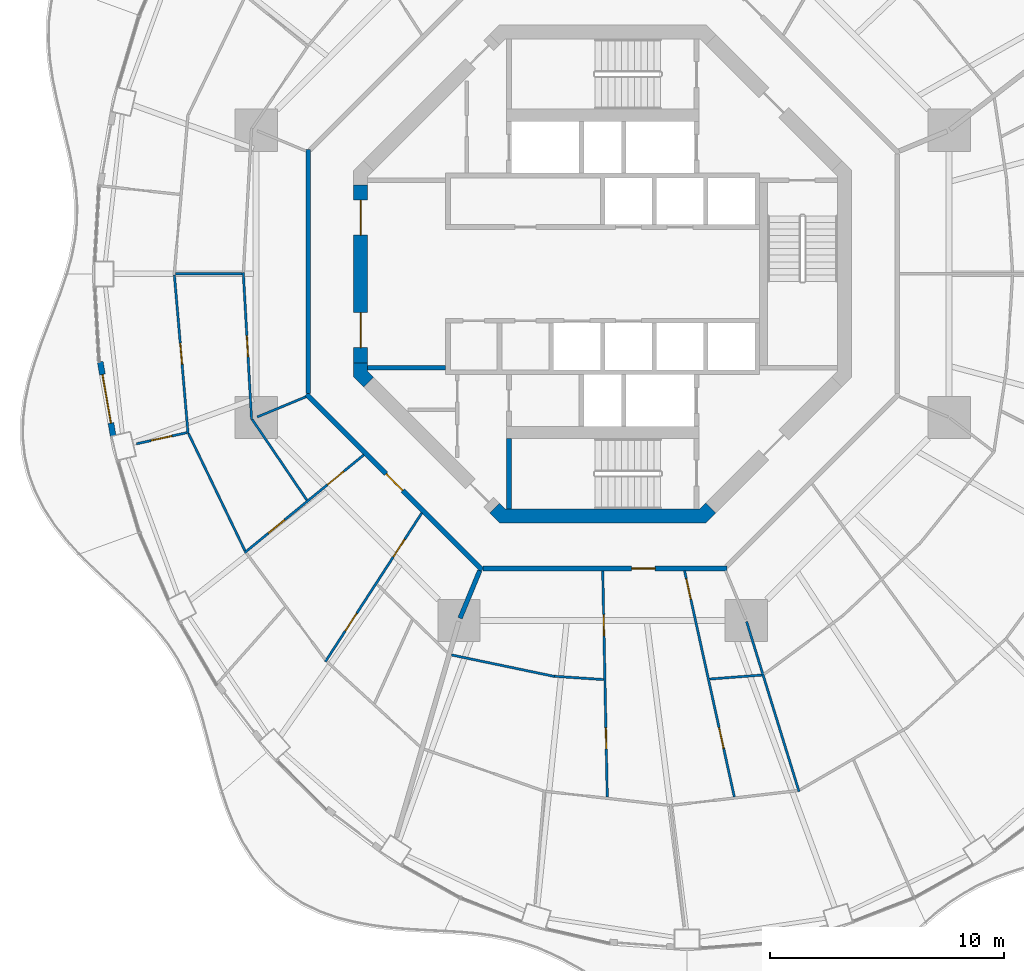
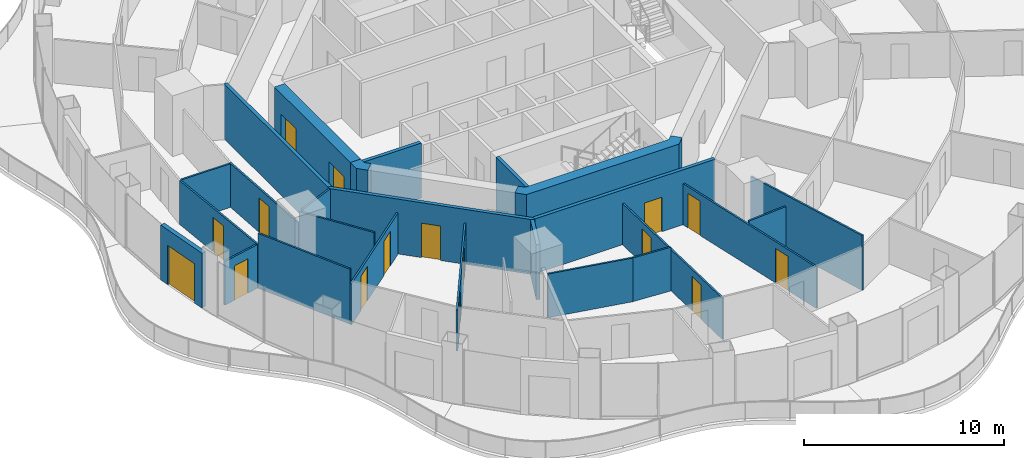
# One storey, part 11 of 19: 25 walls, 16 doors, 16 openings.
"""IFC4 building model written with IfcOpenShell, lengths in metres."""

from ifc_helpers import new_model, si_unit, direction, frame, frame_2d, origin, place, context, subcontext, project, spatial, polyline, rectangle, outline, extrude, material, layer, layer_set, type_object, element, fill, save


model = new_model("IFC4")

# Units and contexts
model_context = context("Model", 3, precision=1e-05, world=origin(), true_north=direction((0.0, 1.0)))
body_context = subcontext(model_context, "Body", "Model", "MODEL_VIEW")
ifc_project = project(units=[si_unit("LENGTHUNIT", "METRE"), si_unit("AREAUNIT", "SQUARE_METRE"), si_unit("VOLUMEUNIT", "CUBIC_METRE"), si_unit("PLANEANGLEUNIT", "RADIAN"), si_unit("MASSUNIT", "GRAM", prefix="KILO")], contexts=[model_context])

# Site, building, storey
site_placement = place(None, origin())
site = spatial("IfcSite", under=ifc_project, at=site_placement, CompositionType="ELEMENT")
building_placement = place(site_placement, origin())
building = spatial("IfcBuilding", under=site, at=building_placement, Name="Nagisa Residences", CompositionType="ELEMENT")
storey_placement = place(building_placement, frame((0.0, 0.0, 202.89990234375)))
storey = spatial("IfcBuildingStorey", under=building, at=storey_placement, Name="L51", CompositionType="ELEMENT", Elevation=202.89990234375)

# Walls
ifc_material_1 = material(Name="Gypsum board on steel studs", Category="steel")
ifc_layer_1 = layer(ifc_material_1, 0.199951171875)
ifc_layer_set_1 = layer_set([ifc_layer_1], Name="Apartment compartment wall EI60 200")
wall_type_1 = type_object("IfcWallType", Name="Apartment compartment wall EI60 200", PredefinedType="PARTITIONING", material=ifc_layer_set_1)
wall_1_placement = place(storey_placement, frame((-5.24267578125, -12.6572265625, 0.0), z_axis=(0.0, 0.0, 1.0), x_axis=(-0.382707856524, -0.923869415315, 0.0)))
element("IfcWall", 1, at=wall_1_placement, inside=storey, type_object=wall_type_1, Name="wall:L51:u04", PredefinedType="PARTITIONING", context=body_context, shape_type="SweptSolid", body=[
    extrude(rectangle(XDim=2.2001953125, YDim=0.199951171875, at=frame_2d((1.10009765625, 0.0))), origin(), (0.0, 0.0, 1.0), 3.35009765625),
])
ifc_material_2 = material(Name="Gypsum board on steel studs", Category="steel")
ifc_layer_2 = layer(ifc_material_2, 0.199951171875)
ifc_layer_set_2 = layer_set([ifc_layer_2], Name="Apartment entry wall EI60 200")
wall_type_2 = type_object("IfcWallType", Name="Apartment entry wall EI60 200", PredefinedType="PARTITIONING", material=ifc_layer_set_2)
wall_2_placement = place(storey_placement, frame((-12.564697265625, 5.304443359375, 0.0), z_axis=(0.0, 0.0, 1.0), x_axis=(0.0, -1.0, 0.0)))
element("IfcWall", 2, at=wall_2_placement, inside=storey, type_object=wall_type_2, Name="wall:L51:u10", PredefinedType="PARTITIONING", context=body_context, shape_type="SweptSolid", body=[
    extrude(rectangle(XDim=10.408935546875, YDim=0.199951171875, at=frame_2d((5.20458984375, 0.0))), origin(), (0.0, 0.0, 1.0), 3.35009765625),
])

# Wall, opening, door
wall_3_placement = place(storey_placement, frame((-12.635498046875, -5.1337890625, 0.0), z_axis=(0.0, 0.0, 1.0), x_axis=(0.707106781187, -0.707106781187, 0.0)))
wall_3 = element("IfcWall", 3, at=wall_3_placement, inside=storey, type_object=wall_type_2, Name="wall:L51:u11", PredefinedType="PARTITIONING", context=body_context, shape_type="SweptSolid", body=[
    extrude(rectangle(XDim=10.609130859375, YDim=0.199951171875, at=frame_2d((5.3046875, 0.0))), origin(), (0.0, 0.0, 1.0), 3.35009765625),
])
opening_1_placement = place(wall_3_placement, frame((4.804443359375, 0.0, 0.0)))
opening_1 = element("IfcOpeningElement", 4, at=opening_1_placement, cuts=wall_3, Name="Opening L51-U34", PredefinedType="OPENING", context=body_context, shape_type="SweptSolid", body=[
    extrude(rectangle(XDim=1.0, YDim=2.10009765625, at=frame_2d((0.5, 1.050048828125))), frame((0.0, 0.10986328125, 0.0), z_axis=(0.0, -1.0, 0.0), x_axis=(1.0, 0.0, 0.0)), (0.0, 0.0, 1.0), 0.219970703125),
])
ifc_material_3 = material(Name="Timber fire door set", Category="wood")
door_type_1 = type_object("IfcDoorType", Name="Apartment entry door FD30S 1000x2100", OperationType="NOTDEFINED", PredefinedType="DOOR", material=ifc_material_3)
door_1_placement = place(opening_1_placement, frame((1.0, 0.0, 0.0), x_axis=(-1.0, 0.0, 0.0)))
door_1 = element("IfcDoor", 5, at=door_1_placement, inside=storey, type_object=door_type_1, Name="Entry door, Apartment 51C", OperationType="SINGLE_SWING_LEFT", OverallHeight=2.10009765625, OverallWidth=1.0, PredefinedType="DOOR", context=body_context, shape_type="SweptSolid", body=[
    extrude(rectangle(XDim=1.0, YDim=2.10009765625, at=frame_2d((0.5, 1.050048828125))), frame((0.0, 0.02490234375, 0.0), z_axis=(0.0, -1.0, 0.0), x_axis=(1.0, 0.0, 0.0)), (0.0, 0.0, 1.0), 0.050048828125),
])
fill(opening_1, door_1)

wall_4_placement = place(storey_placement, frame((-5.1044921875, -12.564697265625, 0.0), z_axis=(0.0, 0.0, 1.0), x_axis=(1.0, 0.0, 0.0)))
wall_4 = element("IfcWall", 6, at=wall_4_placement, inside=storey, type_object=wall_type_2, Name="wall:L51:u12", PredefinedType="PARTITIONING", context=body_context, shape_type="SweptSolid", body=[
    extrude(rectangle(XDim=10.408935546875, YDim=0.199951171875, at=frame_2d((5.20458984375, 0.0))), origin(), (0.0, 0.0, 1.0), 3.35009765625),
])
opening_2_placement = place(wall_4_placement, frame((6.33935546875, 0.0, 0.0)))
opening_2 = element("IfcOpeningElement", 7, at=opening_2_placement, cuts=wall_4, Name="Opening L51-U01", PredefinedType="OPENING", context=body_context, shape_type="SweptSolid", body=[
    extrude(rectangle(XDim=1.0, YDim=2.10009765625, at=frame_2d((0.5, 1.050048828125))), frame((0.0, 0.10986328125, 0.0), z_axis=(0.0, -1.0, 0.0), x_axis=(1.0, 0.0, 0.0)), (0.0, 0.0, 1.0), 0.219970703125),
])
door_2_placement = place(opening_2_placement, frame((1.0, 0.0, 0.0), x_axis=(-1.0, 0.0, 0.0)))
door_2 = element("IfcDoor", 8, at=door_2_placement, inside=storey, type_object=door_type_1, Name="Entry door, Apartment 51A", OperationType="SINGLE_SWING_RIGHT", OverallHeight=2.10009765625, OverallWidth=1.0, PredefinedType="DOOR", context=body_context, shape_type="SweptSolid", body=[
    extrude(rectangle(XDim=1.0, YDim=2.10009765625, at=frame_2d((0.5, 1.050048828125))), frame((0.0, 0.02490234375, 0.0), z_axis=(0.0, -1.0, 0.0), x_axis=(1.0, 0.0, 0.0)), (0.0, 0.0, 1.0), 0.050048828125),
])
fill(opening_2, door_2)

# Wall
ifc_material_4 = material(Name="Gypsum board on steel studs", Category="steel")
ifc_layer_3 = layer(ifc_material_4, 0.10009765625)
ifc_layer_set_3 = layer_set([ifc_layer_3], Name="Apartment partition 100")
wall_type_3 = type_object("IfcWallType", Name="Apartment partition 100", PredefinedType="PARTITIONING", material=ifc_layer_set_3)
wall_5_placement = place(storey_placement, frame((-15.3779296875, 0.0, 0.0), z_axis=(0.0, 0.0, 1.0), x_axis=(-1.0, 0.0, 0.0)))
element("IfcWall", 9, at=wall_5_placement, inside=storey, type_object=wall_type_3, Name="wall:L51:u52", PredefinedType="PARTITIONING", context=body_context, shape_type="SweptSolid", body=[
    extrude(rectangle(XDim=2.84716796875, YDim=0.10009765625, at=frame_2d((1.423583984375, 0.0))), origin(), (0.0, 0.0, 1.0), 2.666015625),
])

# Wall, opening, door
wall_6_placement = place(storey_placement, frame((-15.33056640625, 0.0498046875, 0.0), z_axis=(0.0, 0.0, 1.0), x_axis=(0.056325291522, -0.998412470643, 0.0)))
wall_6 = element("IfcWall", 10, at=wall_6_placement, inside=storey, type_object=wall_type_3, Name="wall:L51:u53", PredefinedType="PARTITIONING", context=body_context, shape_type="SweptSolid", body=[
    extrude(rectangle(XDim=6.2763671875, YDim=0.10009765625, at=frame_2d((3.13818359375, 0.0))), origin(), (0.0, 0.0, 1.0), 2.666015625),
])
opening_3_placement = place(wall_6_placement, frame((2.688232421875, 0.0, 0.0)))
opening_3 = element("IfcOpeningElement", 11, at=opening_3_placement, cuts=wall_6, Name="Opening L51-U42", PredefinedType="OPENING", context=body_context, shape_type="SweptSolid", body=[
    extrude(rectangle(XDim=0.89990234375, YDim=2.10009765625, at=frame_2d((0.449951171875, 1.050048828125))), frame((0.0, 0.06005859375, 0.0), z_axis=(0.0, -1.0, 0.0), x_axis=(1.0, 0.0, 0.0)), (0.0, 0.0, 1.0), 0.1201171875),
])
ifc_material_5 = material(Name="Timber door set", Category="wood")
door_type_2 = type_object("IfcDoorType", Name="Apartment door 900x2100", OperationType="NOTDEFINED", PredefinedType="DOOR", material=ifc_material_5)
door_3_placement = place(opening_3_placement, origin())
door_3 = element("IfcDoor", 12, at=door_3_placement, inside=storey, type_object=door_type_2, Name="Door to laundry, Apartment 51C", OperationType="SINGLE_SWING_RIGHT", OverallHeight=2.10009765625, OverallWidth=0.89990234375, PredefinedType="DOOR", context=body_context, shape_type="SweptSolid", body=[
    extrude(rectangle(XDim=0.89990234375, YDim=2.10009765625, at=frame_2d((0.449951171875, 1.050048828125))), frame((0.0, 0.02490234375, 0.0), z_axis=(0.0, -1.0, 0.0), x_axis=(1.0, 0.0, 0.0)), (0.0, 0.0, 1.0), 0.050048828125),
])
fill(opening_3, door_3)

wall_7_placement = place(storey_placement, frame((-18.270751953125, -0.0498046875, 0.0), z_axis=(0.0, 0.0, 1.0), x_axis=(0.086018199227, -0.996293565874, 0.0)))
wall_7 = element("IfcWall", 13, at=wall_7_placement, inside=storey, type_object=wall_type_3, Name="wall:L51:u54", PredefinedType="PARTITIONING", context=body_context, shape_type="SweptSolid", body=[
    extrude(rectangle(XDim=6.7890625, YDim=0.10009765625, at=frame_2d((3.39453125, 0.0))), origin(), (0.0, 0.0, 1.0), 2.666015625),
])
opening_4_placement = place(wall_7_placement, frame((2.919677734375, 0.0, 0.0)))
opening_4 = element("IfcOpeningElement", 14, at=opening_4_placement, cuts=wall_7, Name="Opening L51-U39", PredefinedType="OPENING", context=body_context, shape_type="SweptSolid", body=[
    extrude(rectangle(XDim=0.89990234375, YDim=2.10009765625, at=frame_2d((0.449951171875, 1.050048828125))), frame((0.0, 0.06005859375, 0.0), z_axis=(0.0, -1.0, 0.0), x_axis=(1.0, 0.0, 0.0)), (0.0, 0.0, 1.0), 0.1201171875),
])
door_4_placement = place(opening_4_placement, frame((0.89990234375, 0.0, 0.0), x_axis=(-1.0, 0.0, 0.0)))
door_4 = element("IfcDoor", 15, at=door_4_placement, inside=storey, type_object=door_type_2, Name="Door to family room, Apartment 51C", OperationType="SINGLE_SWING_RIGHT", OverallHeight=2.10009765625, OverallWidth=0.89990234375, PredefinedType="DOOR", context=body_context, shape_type="SweptSolid", body=[
    extrude(rectangle(XDim=0.89990234375, YDim=2.10009765625, at=frame_2d((0.449951171875, 1.050048828125))), frame((0.0, 0.02490234375, 0.0), z_axis=(0.0, -1.0, 0.0), x_axis=(1.0, 0.0, 0.0)), (0.0, 0.0, 1.0), 0.050048828125),
])
fill(opening_4, door_4)

# Walls
wall_8_placement = place(storey_placement, frame((-12.6572265625, -5.24267578125, 0.0), z_axis=(0.0, 0.0, 1.0), x_axis=(-0.923864733477, -0.382719158442, 0.0)))
element("IfcWall", 16, at=wall_8_placement, inside=storey, type_object=wall_type_3, Name="wall:L51:u55", PredefinedType="PARTITIONING", context=body_context, shape_type="SweptSolid", body=[
    extrude(rectangle(XDim=2.25, YDim=0.10009765625, at=frame_2d((1.125, 0.0))), origin(), (0.0, 0.0, 1.0), 3.35009765625),
])
wall_9_placement = place(storey_placement, frame((-14.951904296875, -6.2080078125, 0.0), z_axis=(0.0, 0.0, 1.0), x_axis=(0.561064907171, -0.827771810308, 0.0)))
element("IfcWall", 17, at=wall_9_placement, inside=storey, type_object=wall_type_3, Name="wall:L51:u56", PredefinedType="PARTITIONING", context=body_context, shape_type="SweptSolid", body=[
    extrude(rectangle(XDim=4.15869140625, YDim=0.10009765625, at=frame_2d((2.079345703125, 0.0))), origin(), (0.0, 0.0, 1.0), 3.35009765625),
])

# Wall, opening, door
wall_10_placement = place(storey_placement, frame((-17.73974609375, -6.774658203125, 0.0), z_axis=(0.0, 0.0, 1.0), x_axis=(-0.976574948551, -0.215177531037, 0.0)))
wall_10 = element("IfcWall", 18, at=wall_10_placement, inside=storey, type_object=wall_type_3, Name="wall:L51:u57", PredefinedType="PARTITIONING", context=body_context, shape_type="SweptSolid", body=[
    extrude(rectangle(XDim=2.19775390625, YDim=0.10009765625, at=frame_2d((1.098876953125, 0.0))), origin(), (0.0, 0.0, 1.0), 2.666015625),
])
opening_5_placement = place(wall_10_placement, frame((0.648681640625, 0.0, 0.0)))
opening_5 = element("IfcOpeningElement", 19, at=opening_5_placement, cuts=wall_10, Name="Opening L51-U40", PredefinedType="OPENING", context=body_context, shape_type="SweptSolid", body=[
    extrude(rectangle(XDim=0.89990234375, YDim=2.10009765625, at=frame_2d((0.449951171875, 1.050048828125))), frame((0.0, 0.06005859375, 0.0), z_axis=(0.0, -1.0, 0.0), x_axis=(1.0, 0.0, 0.0)), (0.0, 0.0, 1.0), 0.1201171875),
])
door_5_placement = place(opening_5_placement, origin())
door_5 = element("IfcDoor", 20, at=door_5_placement, inside=storey, type_object=door_type_2, Name="Door to bedroom, Apartment 51C", OperationType="SINGLE_SWING_RIGHT", OverallHeight=2.10009765625, OverallWidth=0.89990234375, PredefinedType="DOOR", context=body_context, shape_type="SweptSolid", body=[
    extrude(rectangle(XDim=0.89990234375, YDim=2.10009765625, at=frame_2d((0.449951171875, 1.050048828125))), frame((0.0, 0.02490234375, 0.0), z_axis=(0.0, -1.0, 0.0), x_axis=(1.0, 0.0, 0.0)), (0.0, 0.0, 1.0), 0.050048828125),
])
fill(opening_5, door_5)

# Wall
wall_11_placement = place(storey_placement, frame((-17.669189453125, -6.80908203125, 0.0), z_axis=(0.0, 0.0, 1.0), x_axis=(0.434040130629, -0.900893536997, 0.0)))
element("IfcWall", 21, at=wall_11_placement, inside=storey, type_object=wall_type_3, Name="wall:L51:u58", PredefinedType="PARTITIONING", context=body_context, shape_type="SweptSolid", body=[
    extrude(rectangle(XDim=5.557861328125, YDim=0.10009765625, at=frame_2d((2.77880859375, 0.0))), origin(), (0.0, 0.0, 1.0), 3.35009765625),
])

# Wall, openings, doors
wall_12_placement = place(storey_placement, frame((-10.188720703125, -7.721435546875, 0.0), z_axis=(0.0, 0.0, 1.0), x_axis=(-0.773121441079, -0.634258021112, 0.0)))
wall_12 = element("IfcWall", 22, at=wall_12_placement, inside=storey, type_object=wall_type_3, Name="wall:L51:u59", PredefinedType="PARTITIONING", context=body_context, shape_type="SweptSolid", body=[
    extrude(rectangle(XDim=6.5771484375, YDim=0.10009765625, at=frame_2d((3.28857421875, 0.0))), origin(), (0.0, 0.0, 1.0), 2.51513671875),
])
opening_6_placement = place(wall_12_placement, frame((1.103515625, 0.0, 0.0)))
opening_6 = element("IfcOpeningElement", 23, at=opening_6_placement, cuts=wall_12, Name="Opening L51-U35", PredefinedType="OPENING", context=body_context, shape_type="SweptSolid", body=[
    extrude(rectangle(XDim=0.89990234375, YDim=2.10009765625, at=frame_2d((0.449951171875, 1.050048828125))), frame((0.0, 0.06005859375, 0.0), z_axis=(0.0, -1.0, 0.0), x_axis=(1.0, 0.0, 0.0)), (0.0, 0.0, 1.0), 0.1201171875),
])
opening_7_placement = place(wall_12_placement, frame((4.366943359375, 0.0, 0.0)))
opening_7 = element("IfcOpeningElement", 24, at=opening_7_placement, cuts=wall_12, Name="Opening L51-U37", PredefinedType="OPENING", context=body_context, shape_type="SweptSolid", body=[
    extrude(rectangle(XDim=0.89990234375, YDim=2.10009765625, at=frame_2d((0.449951171875, 1.050048828125))), frame((0.0, 0.06005859375, 0.0), z_axis=(0.0, -1.0, 0.0), x_axis=(1.0, 0.0, 0.0)), (0.0, 0.0, 1.0), 0.1201171875),
])
door_6_placement = place(opening_6_placement, frame((0.89990234375, 0.0, 0.0), x_axis=(-1.0, 0.0, 0.0)))
door_6 = element("IfcDoor", 25, at=door_6_placement, inside=storey, type_object=door_type_2, Name="Door to store, Apartment 51C", OperationType="SINGLE_SWING_RIGHT", OverallHeight=2.10009765625, OverallWidth=0.89990234375, PredefinedType="DOOR", context=body_context, shape_type="SweptSolid", body=[
    extrude(rectangle(XDim=0.89990234375, YDim=2.10009765625, at=frame_2d((0.449951171875, 1.050048828125))), frame((0.0, 0.02490234375, 0.0), z_axis=(0.0, -1.0, 0.0), x_axis=(1.0, 0.0, 0.0)), (0.0, 0.0, 1.0), 0.050048828125),
])
fill(opening_6, door_6)
door_7_placement = place(opening_7_placement, frame((0.89990234375, 0.0, 0.0), x_axis=(-1.0, 0.0, 0.0)))
door_7 = element("IfcDoor", 26, at=door_7_placement, inside=storey, type_object=door_type_2, Name="Door to study, Apartment 51C", OperationType="SINGLE_SWING_RIGHT", OverallHeight=2.10009765625, OverallWidth=0.89990234375, PredefinedType="DOOR", context=body_context, shape_type="SweptSolid", body=[
    extrude(rectangle(XDim=0.89990234375, YDim=2.10009765625, at=frame_2d((0.449951171875, 1.050048828125))), frame((0.0, 0.02490234375, 0.0), z_axis=(0.0, -1.0, 0.0), x_axis=(1.0, 0.0, 0.0)), (0.0, 0.0, 1.0), 0.050048828125),
])
fill(opening_7, door_7)

wall_13_placement = place(storey_placement, frame((-7.71240234375, -10.1953125, 0.0), z_axis=(0.0, 0.0, 1.0), x_axis=(-0.544179442551, -0.838968851809, 0.0)))
wall_13 = element("IfcWall", 27, at=wall_13_placement, inside=storey, type_object=wall_type_3, Name="wall:L51:u62", PredefinedType="PARTITIONING", context=body_context, shape_type="SweptSolid", body=[
    extrude(rectangle(XDim=7.56640625, YDim=0.10009765625, at=frame_2d((3.783203125, 0.0))), origin(), (0.0, 0.0, 1.0), 2.51513671875),
])
opening_8_placement = place(wall_13_placement, frame((1.3427734375, 0.0, 0.0)))
opening_8 = element("IfcOpeningElement", 28, at=opening_8_placement, cuts=wall_13, Name="Opening L51-U36", PredefinedType="OPENING", context=body_context, shape_type="SweptSolid", body=[
    extrude(rectangle(XDim=0.89990234375, YDim=2.10009765625, at=frame_2d((0.449951171875, 1.050048828125))), frame((0.0, 0.06005859375, 0.0), z_axis=(0.0, -1.0, 0.0), x_axis=(1.0, 0.0, 0.0)), (0.0, 0.0, 1.0), 0.1201171875),
])
opening_9_placement = place(wall_13_placement, frame((5.100830078125, 0.0, 0.0)))
opening_9 = element("IfcOpeningElement", 29, at=opening_9_placement, cuts=wall_13, Name="Opening L51-U38", PredefinedType="OPENING", context=body_context, shape_type="SweptSolid", body=[
    extrude(rectangle(XDim=0.89990234375, YDim=2.10009765625, at=frame_2d((0.449951171875, 1.050048828125))), frame((0.0, 0.06005859375, 0.0), z_axis=(0.0, -1.0, 0.0), x_axis=(1.0, 0.0, 0.0)), (0.0, 0.0, 1.0), 0.1201171875),
])
door_8_placement = place(opening_8_placement, origin())
door_8 = element("IfcDoor", 30, at=door_8_placement, inside=storey, type_object=door_type_2, Name="Door to family bathroom, Apartment 51C", OperationType="SINGLE_SWING_RIGHT", OverallHeight=2.10009765625, OverallWidth=0.89990234375, PredefinedType="DOOR", context=body_context, shape_type="SweptSolid", body=[
    extrude(rectangle(XDim=0.89990234375, YDim=2.10009765625, at=frame_2d((0.449951171875, 1.050048828125))), frame((0.0, 0.02490234375, 0.0), z_axis=(0.0, -1.0, 0.0), x_axis=(1.0, 0.0, 0.0)), (0.0, 0.0, 1.0), 0.050048828125),
])
fill(opening_8, door_8)
door_9_placement = place(opening_9_placement, origin())
door_9 = element("IfcDoor", 31, at=door_9_placement, inside=storey, type_object=door_type_2, Name="Door to family bathroom, Apartment 51C", OperationType="SINGLE_SWING_RIGHT", OverallHeight=2.10009765625, OverallWidth=0.89990234375, PredefinedType="DOOR", context=body_context, shape_type="SweptSolid", body=[
    extrude(rectangle(XDim=0.89990234375, YDim=2.10009765625, at=frame_2d((0.449951171875, 1.050048828125))), frame((0.0, 0.02490234375, 0.0), z_axis=(0.0, -1.0, 0.0), x_axis=(1.0, 0.0, 0.0)), (0.0, 0.0, 1.0), 0.050048828125),
])
fill(opening_9, door_9)

# Walls
wall_14_placement = place(storey_placement, frame((-6.446533203125, -16.25634765625, 0.0), z_axis=(0.0, 0.0, 1.0), x_axis=(0.978902917122, -0.20432591331, 0.0)))
element("IfcWall", 32, at=wall_14_placement, inside=storey, type_object=wall_type_3, Name="wall:L51:u66", PredefinedType="PARTITIONING", context=body_context, shape_type="SweptSolid", body=[
    extrude(rectangle(XDim=4.485595703125, YDim=0.10009765625, at=frame_2d((2.24267578125, 0.0))), origin(), (0.0, 0.0, 1.0), 2.666015625),
])
wall_15_placement = place(storey_placement, frame((-2.0546875, -17.166015625, 0.0), z_axis=(0.0, 0.0, 1.0), x_axis=(0.997756833447, -0.06694252243, 0.0)))
element("IfcWall", 33, at=wall_15_placement, inside=storey, type_object=wall_type_3, Name="wall:L51:u68", PredefinedType="PARTITIONING", context=body_context, shape_type="SweptSolid", body=[
    extrude(rectangle(XDim=2.104248046875, YDim=0.10009765625, at=frame_2d((1.05224609375, 0.0))), origin(), (0.0, 0.0, 1.0), 2.666015625),
])

# Wall, openings, doors
wall_16_placement = place(storey_placement, frame((0.001953125, -12.664794921875, 0.0), z_axis=(0.0, 0.0, 1.0), x_axis=(0.019992969345, -0.999800120613, 0.0)))
wall_16 = element("IfcWall", 34, at=wall_16_placement, inside=storey, type_object=wall_type_3, Name="wall:L51:u71", PredefinedType="PARTITIONING", context=body_context, shape_type="SweptSolid", body=[
    extrude(rectangle(XDim=9.6591796875, YDim=0.10009765625, at=frame_2d((4.82958984375, 0.0))), origin(), (0.0, 0.0, 1.0), 2.51513671875),
])
opening_10_placement = place(wall_16_placement, frame((1.873291015625, 0.0, 0.0)))
opening_10 = element("IfcOpeningElement", 35, at=opening_10_placement, cuts=wall_16, Name="Opening L51-U02", PredefinedType="OPENING", context=body_context, shape_type="SweptSolid", body=[
    extrude(rectangle(XDim=0.89990234375, YDim=2.10009765625, at=frame_2d((0.449951171875, 1.050048828125))), frame((0.0, 0.06005859375, 0.0), z_axis=(0.0, -1.0, 0.0), x_axis=(1.0, 0.0, 0.0)), (0.0, 0.0, 1.0), 0.1201171875),
])
opening_11_placement = place(wall_16_placement, frame((6.702880859375, 0.0, 0.0)))
opening_11 = element("IfcOpeningElement", 36, at=opening_11_placement, cuts=wall_16, Name="Opening L51-U04", PredefinedType="OPENING", context=body_context, shape_type="SweptSolid", body=[
    extrude(rectangle(XDim=0.89990234375, YDim=2.10009765625, at=frame_2d((0.449951171875, 1.050048828125))), frame((0.0, 0.06005859375, 0.0), z_axis=(0.0, -1.0, 0.0), x_axis=(1.0, 0.0, 0.0)), (0.0, 0.0, 1.0), 0.1201171875),
])
door_10_placement = place(opening_10_placement, frame((0.89990234375, 0.0, 0.0), x_axis=(-1.0, 0.0, 0.0)))
door_10 = element("IfcDoor", 37, at=door_10_placement, inside=storey, type_object=door_type_2, Name="Door to laundry, Apartment 51A", OperationType="SINGLE_SWING_LEFT", OverallHeight=2.10009765625, OverallWidth=0.89990234375, PredefinedType="DOOR", context=body_context, shape_type="SweptSolid", body=[
    extrude(rectangle(XDim=0.89990234375, YDim=2.10009765625, at=frame_2d((0.449951171875, 1.050048828125))), frame((0.0, 0.02490234375, 0.0), z_axis=(0.0, -1.0, 0.0), x_axis=(1.0, 0.0, 0.0)), (0.0, 0.0, 1.0), 0.050048828125),
])
fill(opening_10, door_10)
door_11_placement = place(opening_11_placement, frame((0.89990234375, 0.0, 0.0), x_axis=(-1.0, 0.0, 0.0)))
door_11 = element("IfcDoor", 38, at=door_11_placement, inside=storey, type_object=door_type_2, Name="Door to dining room, Apartment 51A", OperationType="SINGLE_SWING_LEFT", OverallHeight=2.10009765625, OverallWidth=0.89990234375, PredefinedType="DOOR", context=body_context, shape_type="SweptSolid", body=[
    extrude(rectangle(XDim=0.89990234375, YDim=2.10009765625, at=frame_2d((0.449951171875, 1.050048828125))), frame((0.0, 0.02490234375, 0.0), z_axis=(0.0, -1.0, 0.0), x_axis=(1.0, 0.0, 0.0)), (0.0, 0.0, 1.0), 0.050048828125),
])
fill(opening_11, door_11)

wall_17_placement = place(storey_placement, frame((3.4912109375, -12.662353515625, 0.0), z_axis=(0.0, 0.0, 1.0), x_axis=(0.215082442833, -0.976595895335, 0.0)))
wall_17 = element("IfcWall", 39, at=wall_17_placement, inside=storey, type_object=wall_type_3, Name="wall:L51:u74", PredefinedType="PARTITIONING", context=body_context, shape_type="SweptSolid", body=[
    extrude(rectangle(XDim=9.877685546875, YDim=0.10009765625, at=frame_2d((4.93896484375, 0.0))), origin(), (0.0, 0.0, 1.0), 2.51513671875),
])
opening_12_placement = place(wall_17_placement, frame((0.35009765625, 0.0, 0.0)))
opening_12 = element("IfcOpeningElement", 40, at=opening_12_placement, cuts=wall_17, Name="Opening L51-U03", PredefinedType="OPENING", context=body_context, shape_type="SweptSolid", body=[
    extrude(rectangle(XDim=0.89990234375, YDim=2.10009765625, at=frame_2d((0.449951171875, 1.050048828125))), frame((0.0, 0.06005859375, 0.0), z_axis=(0.0, -1.0, 0.0), x_axis=(1.0, 0.0, 0.0)), (0.0, 0.0, 1.0), 0.1201171875),
])
opening_13_placement = place(wall_17_placement, frame((6.861083984375, 0.0, 0.0)))
opening_13 = element("IfcOpeningElement", 41, at=opening_13_placement, cuts=wall_17, Name="Opening L51-U05", PredefinedType="OPENING", context=body_context, shape_type="SweptSolid", body=[
    extrude(rectangle(XDim=0.89990234375, YDim=2.10009765625, at=frame_2d((0.449951171875, 1.050048828125))), frame((0.0, 0.06005859375, 0.0), z_axis=(0.0, -1.0, 0.0), x_axis=(1.0, 0.0, 0.0)), (0.0, 0.0, 1.0), 0.1201171875),
])
door_12_placement = place(opening_12_placement, origin())
door_12 = element("IfcDoor", 42, at=door_12_placement, inside=storey, type_object=door_type_2, Name="Door to family bathroom, Apartment 51A", OperationType="SINGLE_SWING_LEFT", OverallHeight=2.10009765625, OverallWidth=0.89990234375, PredefinedType="DOOR", context=body_context, shape_type="SweptSolid", body=[
    extrude(rectangle(XDim=0.89990234375, YDim=2.10009765625, at=frame_2d((0.449951171875, 1.050048828125))), frame((0.0, 0.02490234375, 0.0), z_axis=(0.0, -1.0, 0.0), x_axis=(1.0, 0.0, 0.0)), (0.0, 0.0, 1.0), 0.050048828125),
])
fill(opening_12, door_12)
door_13_placement = place(opening_13_placement, origin())
door_13 = element("IfcDoor", 43, at=door_13_placement, inside=storey, type_object=door_type_2, Name="Door to family bathroom, Apartment 51A", OperationType="SINGLE_SWING_LEFT", OverallHeight=2.10009765625, OverallWidth=0.89990234375, PredefinedType="DOOR", context=body_context, shape_type="SweptSolid", body=[
    extrude(rectangle(XDim=0.89990234375, YDim=2.10009765625, at=frame_2d((0.449951171875, 1.050048828125))), frame((0.0, 0.02490234375, 0.0), z_axis=(0.0, -1.0, 0.0), x_axis=(1.0, 0.0, 0.0)), (0.0, 0.0, 1.0), 0.050048828125),
])
fill(opening_13, door_13)

# Walls
wall_18_placement = place(storey_placement, frame((4.567626953125, -17.28369140625, 0.0), z_axis=(0.0, 0.0, 1.0), x_axis=(0.997076339393, 0.076411867029, 0.0)))
element("IfcWall", 44, at=wall_18_placement, inside=storey, type_object=wall_type_3, Name="wall:L51:u75", PredefinedType="PARTITIONING", context=body_context, shape_type="SweptSolid", body=[
    extrude(rectangle(XDim=2.230224609375, YDim=0.10009765625, at=frame_2d((1.115234375, 0.0))), origin(), (0.0, 0.0, 1.0), 2.666015625),
])
wall_19_placement = place(storey_placement, frame((6.1376953125, -14.829833984375, 0.0), z_axis=(0.0, 0.0, 1.0), x_axis=(0.294822274121, -0.955552105687, 0.0)))
element("IfcWall", 45, at=wall_19_placement, inside=storey, type_object=wall_type_3, Name="wall:L51:u77", PredefinedType="PARTITIONING", context=body_context, shape_type="SweptSolid", body=[
    extrude(rectangle(XDim=7.593505859375, YDim=0.10009765625, at=frame_2d((3.796875, 0.0))), origin(), (0.0, 0.0, 1.0), 3.35009765625),
])

# Wall, opening, door
ifc_material_6 = material(Name="Precast concrete C40/50", Category="concrete")
ifc_layer_4 = layer(ifc_material_6, 0.25)
ifc_layer_set_4 = layer_set([ifc_layer_4], Name="BALCONY DOOR WALL 250")
wall_type_4 = type_object("IfcWallType", Name="BALCONY DOOR WALL 250", PredefinedType="SOLIDWALL", material=ifc_layer_set_4)
wall_20_placement = place(storey_placement, frame((-20.8818359375, -6.91015625, 0.0), z_axis=(0.0, 0.0, 1.0), x_axis=(-0.172223552479, 0.98505789067, 0.0)))
wall_20 = element("IfcWall", 46, at=wall_20_placement, inside=storey, type_object=wall_type_4, Name="wall:L51:bay25", PredefinedType="SOLIDWALL", context=body_context, shape_type="SweptSolid", body=[
    extrude(rectangle(XDim=3.2109375, YDim=0.25, at=frame_2d((1.60546875, 0.0))), origin(), (0.0, 0.0, 1.0), 3.35009765625),
])
opening_14_placement = place(wall_20_placement, frame((0.555419921875, 0.0, 0.0)))
opening_14 = element("IfcOpeningElement", 47, at=opening_14_placement, cuts=wall_20, Name="Opening BD-L51-09", PredefinedType="OPENING", context=body_context, shape_type="SweptSolid", body=[
    extrude(rectangle(XDim=2.10009765625, YDim=2.39990234375, at=frame_2d((1.050048828125, 1.199951171875))), frame((0.0, 0.135009765625, 0.0), z_axis=(0.0, -1.0, 0.0), x_axis=(1.0, 0.0, 0.0)), (0.0, 0.0, 1.0), 0.27001953125),
])
ifc_material_7 = material(Name="Aluminium and clear glass", Category="aluminium")
door_type_3 = type_object("IfcDoorType", Name="BALCONY SLIDING DOOR 2100x2400", OperationType="SLIDING_TO_LEFT", PredefinedType="DOOR", material=ifc_material_7)
door_14_placement = place(opening_14_placement, origin())
door_14 = element("IfcDoor", 48, at=door_14_placement, inside=storey, type_object=door_type_3, Name="door:L51:bay25", OperationType="SLIDING_TO_LEFT", OverallHeight=2.39990234375, OverallWidth=2.10009765625, PredefinedType="DOOR", context=body_context, shape_type="SweptSolid", body=[
    extrude(rectangle(XDim=2.10009765625, YDim=2.39990234375, at=frame_2d((1.050048828125, 1.199951171875))), frame((0.0, 0.02490234375, 0.0), z_axis=(0.0, -1.0, 0.0), x_axis=(1.0, 0.0, 0.0)), (0.0, 0.0, 1.0), 0.050048828125),
])
fill(opening_14, door_14)

# Wall
ifc_material_8 = material(Name="Gypsum board on steel studs", Category="steel")
ifc_layer_5 = layer(ifc_material_8, 0.199951171875)
ifc_layer_set_5 = layer_set([ifc_layer_5], Name="Core partition 200")
wall_type_5 = type_object("IfcWallType", Name="Core partition 200", PredefinedType="PARTITIONING", material=ifc_layer_set_5)
wall_21_placement = place(storey_placement, frame((-10.024658203125, -4.0, 0.0), z_axis=(0.0, 0.0, 1.0), x_axis=(1.0, 0.0, 0.0)))
element("IfcWall", 49, at=wall_21_placement, inside=storey, type_object=wall_type_5, Name="wall:L51:PSW", PredefinedType="PARTITIONING", context=body_context, shape_type="SweptSolid", body=[
    extrude(rectangle(XDim=3.32470703125, YDim=0.199951171875, at=frame_2d((1.662353515625, 0.0))), origin(), (0.0, 0.0, 1.0), 3.35009765625),
])

# Wall, openings, doors
ifc_material_9 = material(Name="Concrete C60", Category="concrete")
ifc_layer_6 = layer(ifc_material_9, 0.60009765625)
ifc_layer_set_6 = layer_set([ifc_layer_6], Name="Core shear wall 600")
wall_type_6 = type_object("IfcWallType", Name="Core shear wall 600", PredefinedType="SHEAR", material=ifc_layer_set_6)
wall_22_placement = place(storey_placement, frame((-10.32470703125, 3.80078125, 0.0), z_axis=(0.0, 0.0, 1.0), x_axis=(0.0, -1.0, 0.0)))
wall_22 = element("IfcWall", 50, at=wall_22_placement, inside=storey, type_object=wall_type_6, Name="wall:L51:core:flat4", PredefinedType="SHEAR", context=body_context, shape_type="SweptSolid", body=[
    extrude(rectangle(XDim=7.6015625, YDim=0.60009765625, at=frame_2d((3.80078125, 0.0))), origin(), (0.0, 0.0, 1.0), 3.35009765625),
])
opening_15_placement = place(wall_22_placement, frame((0.65087890625, 0.0, 0.0)))
opening_15 = element("IfcOpeningElement", 51, at=opening_15_placement, cuts=wall_22, Name="Opening L51-C20", PredefinedType="OPENING", context=body_context, shape_type="SweptSolid", body=[
    extrude(rectangle(XDim=1.5, YDim=2.10009765625, at=frame_2d((0.75, 1.050048828125))), frame((0.0, 0.31005859375, 0.0), z_axis=(0.0, -1.0, 0.0), x_axis=(1.0, 0.0, 0.0)), (0.0, 0.0, 1.0), 0.6201171875),
])
opening_16_placement = place(wall_22_placement, frame((5.450927734375, 0.0, 0.0)))
opening_16 = element("IfcOpeningElement", 52, at=opening_16_placement, cuts=wall_22, Name="Opening L51-C21", PredefinedType="OPENING", context=body_context, shape_type="SweptSolid", body=[
    extrude(rectangle(XDim=1.5, YDim=2.10009765625, at=frame_2d((0.75, 1.050048828125))), frame((0.0, 0.31005859375, 0.0), z_axis=(0.0, -1.0, 0.0), x_axis=(1.0, 0.0, 0.0)), (0.0, 0.0, 1.0), 0.6201171875),
])
ifc_material_10 = material(Name="Steel fire door", Category="steel")
door_type_4 = type_object("IfcDoorType", Name="Fire door EI60 1500x2100 double door single swing", OperationType="DOUBLE_DOOR_SINGLE_SWING", PredefinedType="DOOR", material=ifc_material_10)
door_15_placement = place(opening_15_placement, origin())
door_15 = element("IfcDoor", 53, at=door_15_placement, inside=storey, type_object=door_type_4, Name="Lift lobby door L51 1", OperationType="DOUBLE_DOOR_SINGLE_SWING", OverallHeight=2.10009765625, OverallWidth=1.5, PredefinedType="DOOR", context=body_context, shape_type="SweptSolid", body=[
    extrude(rectangle(XDim=1.5, YDim=2.10009765625, at=frame_2d((0.75, 1.050048828125))), frame((0.0, 0.02490234375, 0.0), z_axis=(0.0, -1.0, 0.0), x_axis=(1.0, 0.0, 0.0)), (0.0, 0.0, 1.0), 0.050048828125),
])
fill(opening_15, door_15)
door_16_placement = place(opening_16_placement, origin())
door_16 = element("IfcDoor", 54, at=door_16_placement, inside=storey, type_object=door_type_4, Name="Lift lobby door L51 2", OperationType="DOUBLE_DOOR_SINGLE_SWING", OverallHeight=2.10009765625, OverallWidth=1.5, PredefinedType="DOOR", context=body_context, shape_type="SweptSolid", body=[
    extrude(rectangle(XDim=1.5, YDim=2.10009765625, at=frame_2d((0.75, 1.050048828125))), frame((0.0, 0.02490234375, 0.0), z_axis=(0.0, -1.0, 0.0), x_axis=(1.0, 0.0, 0.0)), (0.0, 0.0, 1.0), 0.050048828125),
])
fill(opening_16, door_16)

# Walls
wall_23_placement = place(storey_placement, origin())
element("IfcWall", 55, at=wall_23_placement, inside=storey, type_object=wall_type_6, Name="wall:L51:core:pier4", PredefinedType="SHEAR", context=body_context, shape_type="SweptSolid", body=[
    extrude(outline(polyline([(-10.62451171875, -3.80078125), (-10.024658203125, -3.80078125), (-10.024658203125, -4.15234375), (-9.776123046875, -4.40087890625), (-10.200439453125, -4.8251953125), (-10.62451171875, -4.40087890625), (-10.62451171875, -3.80078125)])), origin(), (0.0, 0.0, 1.0), 3.35009765625),
])
wall_24_placement = place(storey_placement, origin())
element("IfcWall", 56, at=wall_24_placement, inside=storey, type_object=wall_type_6, Name="wall:L51:core:flat6", PredefinedType="SHEAR", context=body_context, shape_type="SweptSolid", body=[
    extrude(outline(polyline([(-4.15234375, -10.024658203125), (4.15234375, -10.024658203125), (4.40087890625, -9.776123046875), (4.8251953125, -10.200439453125), (4.40087890625, -10.62451171875), (-4.40087890625, -10.62451171875), (-4.8251953125, -10.200439453125), (-4.40087890625, -9.776123046875), (-4.15234375, -10.024658203125)])), origin(), (0.0, 0.0, 1.0), 3.35009765625),
])
ifc_material_11 = material(Name="Concrete C60", Category="concrete")
ifc_layer_7 = layer(ifc_material_11, 0.199951171875)
ifc_layer_set_7 = layer_set([ifc_layer_7], Name="Stair enclosure wall 200")
wall_type_7 = type_object("IfcWallType", Name="Stair enclosure wall 200", PredefinedType="SOLIDWALL", material=ifc_layer_set_7)
wall_25_placement = place(storey_placement, origin())
element("IfcWall", 57, at=wall_25_placement, inside=storey, type_object=wall_type_7, Name="wall:L51:SS_w", PredefinedType="SOLIDWALL", context=body_context, shape_type="SweptSolid", body=[
    extrude(outline(polyline([(-3.89990234375, -10.024658203125), (-4.10009765625, -10.024658203125), (-4.10009765625, -7.024658203125), (-3.89990234375, -7.024658203125), (-3.89990234375, -10.024658203125)])), origin(), (0.0, 0.0, 1.0), 3.35009765625),
])

save(model, "model.ifc")
